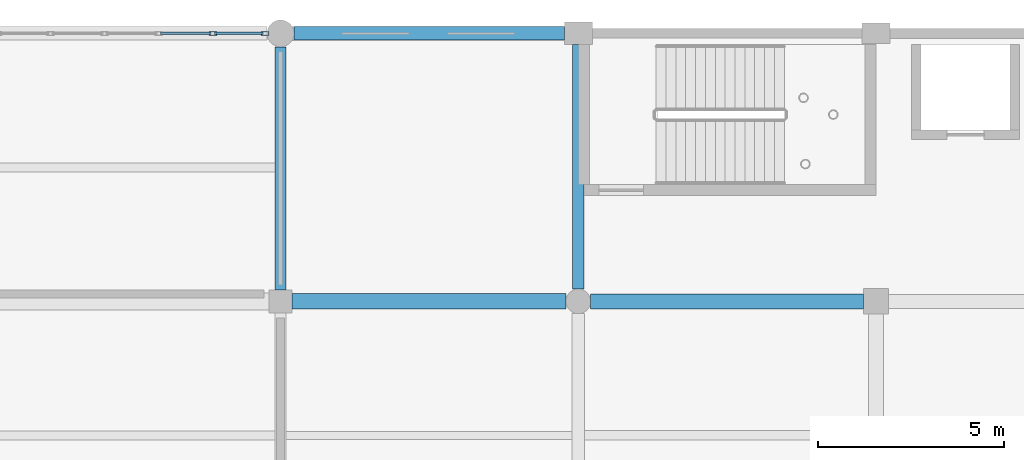
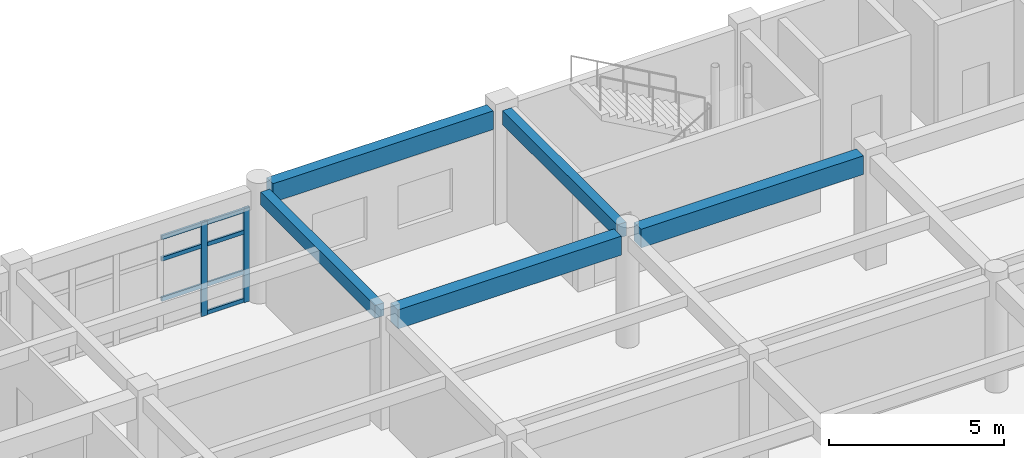
# One storey, part 113 of 195: 9 members, 5 beams, 1 element without a shape of its own.
"""IFC4 building model written with IfcOpenShell, lengths in metres."""

from ifc_helpers import new_model, si_unit, direction, frame, origin, origin_2d, place, context, subcontext, project, spatial, rectangle, hollow_rectangle, extrude, material, material_profile, profile_set, type_object, element, aggregate, save


model = new_model("IFC4")

# Units and contexts
model_context = context("Model", 3, precision=1e-05, world=origin(), true_north=direction((0.0, 1.0)))
body_context = subcontext(model_context, "Body", "Model", "MODEL_VIEW")
ifc_project = project(units=[si_unit("LENGTHUNIT", "METRE"), si_unit("AREAUNIT", "SQUARE_METRE"), si_unit("VOLUMEUNIT", "CUBIC_METRE"), si_unit("PLANEANGLEUNIT", "RADIAN"), si_unit("MASSUNIT", "GRAM", prefix="KILO")], contexts=[model_context])

# Site, building, storey
site_placement = place(None, origin())
site = spatial("IfcSite", under=ifc_project, at=site_placement, CompositionType="ELEMENT")
building_placement = place(site_placement, origin())
building = spatial("IfcBuilding", under=site, at=building_placement, Name="Kharva Crest Polytechnic", CompositionType="ELEMENT")
storey_placement = place(building_placement, frame((0.0, 0.0, 9.0)))
storey = spatial("IfcBuildingStorey", under=building, at=storey_placement, Name="L02", CompositionType="ELEMENT", Elevation=9.0)

# Beams
ifc_material_1 = material(Name="Concrete C35/45", Category="concrete")
ifc_material_profile_1 = material_profile(ifc_material_1, rectangle(XDim=0.300048828125, YDim=0.449951171875, at=origin_2d()), Name="RECT 300 X 450")
ifc_profile_set_1 = profile_set([ifc_material_profile_1], Name="Concrete C35/45")
beam_type_1 = type_object("IfcBeamType", Name="BM-RC-300X450", PredefinedType="BEAM", material=ifc_profile_set_1)
beam_1_placement = place(storey_placement, frame((48.0, 115.110107421875, 3.695068359375), z_axis=(0.0, 1.0, 0.0), x_axis=(-1.0, 0.0, 0.0)))
element("IfcBeam", 1, at=beam_1_placement, inside=storey, type_object=beam_type_1, Name="L02 Girder 7/R-S", PredefinedType="BEAM", context=body_context, shape_type="SweptSolid", body=[
    extrude(rectangle(XDim=0.300048828125, YDim=0.449951171875, at=origin_2d()), origin(), (0.0, 0.0, 1.0), 6.52978515625),
])
ifc_material_profile_2 = material_profile(ifc_material_1, rectangle(XDim=0.300048828125, YDim=0.47998046875, at=origin_2d()), Name="RECT 300 X 480")
ifc_profile_set_2 = profile_set([ifc_material_profile_2], Name="Concrete C35/45")
beam_type_2 = type_object("IfcBeamType", Name="BM-RC-300X480", PredefinedType="BEAM", material=ifc_profile_set_2)
beam_2_placement = place(storey_placement, frame((56.0, 115.1298828125, 3.679931640625), z_axis=(0.0, 1.0, 0.0), x_axis=(-1.0, 0.0, 0.0)))
element("IfcBeam", 2, at=beam_2_placement, inside=storey, type_object=beam_type_2, Name="L02 Girder 8/R-S", PredefinedType="BEAM", context=body_context, shape_type="SweptSolid", body=[
    extrude(rectangle(XDim=0.300048828125, YDim=0.47998046875, at=origin_2d()), origin(), (0.0, 0.0, 1.0), 6.570068359375),
])
ifc_material_profile_3 = material_profile(ifc_material_1, rectangle(XDim=0.39990234375, YDim=0.64990234375, at=origin_2d()), Name="RECT 400 X 650")
ifc_profile_set_3 = profile_set([ifc_material_profile_3], Name="Concrete C35/45")
beam_type_3 = type_object("IfcBeamType", Name="BM-RC-400X650", PredefinedType="BEAM", material=ifc_profile_set_3)
beam_3_placement = place(storey_placement, frame((56.330078125, 114.800048828125, 3.594970703125), z_axis=(1.0, 0.0, 0.0), x_axis=(0.0, 1.0, 0.0)))
element("IfcBeam", 3, at=beam_3_placement, inside=storey, type_object=beam_type_3, Name="L02 Beam R/8-9", PredefinedType="BEAM", context=body_context, shape_type="SweptSolid", body=[
    extrude(rectangle(XDim=0.39990234375, YDim=0.64990234375, at=origin_2d()), origin(), (0.0, 0.0, 1.0), 7.329833984375),
])
ifc_material_profile_4 = material_profile(ifc_material_1, rectangle(XDim=0.419921875, YDim=0.659912109375, at=origin_2d()), Name="RECT 420 X 660")
ifc_profile_set_4 = profile_set([ifc_material_profile_4], Name="Concrete C35/45")
beam_type_4 = type_object("IfcBeamType", Name="BM-RC-420X660", PredefinedType="BEAM", material=ifc_profile_set_4)
beam_4_placement = place(storey_placement, frame((48.31005859375, 114.800048828125, 3.590087890625), z_axis=(1.0, 0.0, 0.0), x_axis=(0.0, 1.0, 0.0)))
element("IfcBeam", 4, at=beam_4_placement, inside=storey, type_object=beam_type_4, Name="L02 Beam R/7-8", PredefinedType="BEAM", context=body_context, shape_type="SweptSolid", body=[
    extrude(rectangle(XDim=0.419921875, YDim=0.659912109375, at=origin_2d()), origin(), (0.0, 0.0, 1.0), 7.35986328125),
])

# Curtain wall, members
ifc_material_2 = material(Name="Tempered insulated glass", Category="glass")
curtain_wall_type = type_object("IfcCurtainWallType", Name="CW-SYS-LIBRARY", PredefinedType="USERDEFINED", material=ifc_material_2)
curtain_wall_placement = place(storey_placement, origin())
curtain_wall = element("IfcCurtainWall", 5, at=curtain_wall_placement, inside=storey, type_object=curtain_wall_type, Name="L02 Glazed Curtain Wall CW-121", ObjectType="CURTAIN WALL", PredefinedType="USERDEFINED")
ifc_material_3 = material(Name="Steel S355", Category="steel")
ifc_material_profile_5 = material_profile(ifc_material_3, hollow_rectangle(XDim=0.10009765625, YDim=0.199951171875, WallThickness=0.00634765625, at=origin_2d()), Name="RHS 200X100X6.3")
ifc_profile_set_5 = profile_set([ifc_material_profile_5], Name="Steel S355")
member_type_1 = type_object("IfcMemberType", Name="CWM-RHS200X100", PredefinedType="MULLION", material=ifc_profile_set_5)
member_1_placement = place(storey_placement, frame((47.5849609375, 122.0, 0.0), z_axis=(0.0, 0.0, 1.0), x_axis=(0.0, -1.0, 0.0)))
member_1 = element("IfcMember", 6, at=member_1_placement, type_object=member_type_1, Name="CW-121 mullion 1", PredefinedType="MULLION", context=body_context, shape_type="SweptSolid", body=[
    extrude(hollow_rectangle(XDim=0.10009765625, YDim=0.199951171875, WallThickness=0.00634765625, at=origin_2d()), origin(), (0.0, 0.0, 1.0), 3.27001953125),
])
member_2_placement = place(storey_placement, frame((46.180908203125, 122.0, 0.0), z_axis=(0.0, 0.0, 1.0), x_axis=(0.0, -1.0, 0.0)))
member_2 = element("IfcMember", 7, at=member_2_placement, type_object=member_type_1, Name="CW-121 mullion 2", PredefinedType="MULLION", context=body_context, shape_type="SweptSolid", body=[
    extrude(hollow_rectangle(XDim=0.10009765625, YDim=0.199951171875, WallThickness=0.00634765625, at=origin_2d()), origin(), (0.0, 0.0, 1.0), 3.27001953125),
])
ifc_material_profile_6 = material_profile(ifc_material_3, hollow_rectangle(XDim=0.070068359375, YDim=0.139892578125, WallThickness=0.00390625, at=origin_2d()), Name="RHS 140X70X4.0")
ifc_profile_set_6 = profile_set([ifc_material_profile_6], Name="Steel S355")
member_type_2 = type_object("IfcMemberType", Name="CWT-RHS140X70", PredefinedType="USERDEFINED", material=ifc_profile_set_6)
member_3_placement = place(storey_placement, frame((47.534912109375, 122.0, 0.070068359375), z_axis=(-1.0, 0.0, 0.0), x_axis=(0.0, -1.0, 0.0)))
member_3 = element("IfcMember", 8, at=member_3_placement, type_object=member_type_2, Name="CW-121 transom 1.1", ObjectType="TRANSOM", PredefinedType="USERDEFINED", context=body_context, shape_type="SweptSolid", body=[
    extrude(hollow_rectangle(XDim=0.070068359375, YDim=0.139892578125, WallThickness=0.00390625, at=origin_2d()), origin(), (0.0, 0.0, 1.0), 1.303955078125),
])
member_4_placement = place(storey_placement, frame((47.534912109375, 122.0, 1.050048828125), z_axis=(-1.0, 0.0, 0.0), x_axis=(0.0, -1.0, 0.0)))
member_4 = element("IfcMember", 9, at=member_4_placement, type_object=member_type_2, Name="CW-121 transom 1.2", ObjectType="TRANSOM", PredefinedType="USERDEFINED", context=body_context, shape_type="SweptSolid", body=[
    extrude(hollow_rectangle(XDim=0.070068359375, YDim=0.139892578125, WallThickness=0.00390625, at=origin_2d()), origin(), (0.0, 0.0, 1.0), 1.303955078125),
])
member_5_placement = place(storey_placement, frame((47.534912109375, 122.0, 2.449951171875), z_axis=(-1.0, 0.0, 0.0), x_axis=(0.0, -1.0, 0.0)))
member_5 = element("IfcMember", 10, at=member_5_placement, type_object=member_type_2, Name="CW-121 transom 1.3", ObjectType="TRANSOM", PredefinedType="USERDEFINED", context=body_context, shape_type="SweptSolid", body=[
    extrude(hollow_rectangle(XDim=0.070068359375, YDim=0.139892578125, WallThickness=0.00390625, at=origin_2d()), origin(), (0.0, 0.0, 1.0), 1.303955078125),
])
member_6_placement = place(storey_placement, frame((47.534912109375, 122.0, 3.199951171875), z_axis=(-1.0, 0.0, 0.0), x_axis=(0.0, -1.0, 0.0)))
member_6 = element("IfcMember", 11, at=member_6_placement, type_object=member_type_2, Name="CW-121 transom 1.4", ObjectType="TRANSOM", PredefinedType="USERDEFINED", context=body_context, shape_type="SweptSolid", body=[
    extrude(hollow_rectangle(XDim=0.070068359375, YDim=0.139892578125, WallThickness=0.00390625, at=origin_2d()), origin(), (0.0, 0.0, 1.0), 1.303955078125),
])
member_7_placement = place(storey_placement, frame((46.131103515625, 122.0, 1.050048828125), z_axis=(-1.0, 0.0, 0.0), x_axis=(0.0, -1.0, 0.0)))
member_7 = element("IfcMember", 12, at=member_7_placement, type_object=member_type_2, Name="CW-121 transom 2.2", ObjectType="TRANSOM", PredefinedType="USERDEFINED", context=body_context, shape_type="SweptSolid", body=[
    extrude(hollow_rectangle(XDim=0.070068359375, YDim=0.139892578125, WallThickness=0.00390625, at=origin_2d()), origin(), (0.0, 0.0, 1.0), 1.35400390625),
])
member_8_placement = place(storey_placement, frame((46.131103515625, 122.0, 2.449951171875), z_axis=(-1.0, 0.0, 0.0), x_axis=(0.0, -1.0, 0.0)))
member_8 = element("IfcMember", 13, at=member_8_placement, type_object=member_type_2, Name="CW-121 transom 2.3", ObjectType="TRANSOM", PredefinedType="USERDEFINED", context=body_context, shape_type="SweptSolid", body=[
    extrude(hollow_rectangle(XDim=0.070068359375, YDim=0.139892578125, WallThickness=0.00390625, at=origin_2d()), origin(), (0.0, 0.0, 1.0), 1.35400390625),
])
member_9_placement = place(storey_placement, frame((46.131103515625, 122.0, 3.199951171875), z_axis=(-1.0, 0.0, 0.0), x_axis=(0.0, -1.0, 0.0)))
member_9 = element("IfcMember", 14, at=member_9_placement, type_object=member_type_2, Name="CW-121 transom 2.4", ObjectType="TRANSOM", PredefinedType="USERDEFINED", context=body_context, shape_type="SweptSolid", body=[
    extrude(hollow_rectangle(XDim=0.070068359375, YDim=0.139892578125, WallThickness=0.00390625, at=origin_2d()), origin(), (0.0, 0.0, 1.0), 1.35400390625),
])
aggregate(curtain_wall, [member_1, member_2, member_3, member_4, member_5, member_6, member_7, member_8, member_9])

# Beam
ifc_material_profile_7 = material_profile(ifc_material_1, rectangle(XDim=0.360107421875, YDim=0.64990234375, at=origin_2d()), Name="RECT 360 X 650")
ifc_profile_set_7 = profile_set([ifc_material_profile_7], Name="Concrete C35/45")
beam_type_5 = type_object("IfcBeamType", Name="SP-RC-360X650", PredefinedType="SPANDREL", material=ifc_profile_set_7)
beam_5_placement = place(storey_placement, frame((48.360107421875, 122.0, 3.594970703125), z_axis=(1.0, 0.0, 0.0), x_axis=(0.0, 1.0, 0.0)))
element("IfcBeam", 15, at=beam_5_placement, inside=storey, type_object=beam_type_5, Name="L02 Beam S/7-8", PredefinedType="SPANDREL", context=body_context, shape_type="SweptSolid", body=[
    extrude(rectangle(XDim=0.360107421875, YDim=0.64990234375, at=origin_2d()), origin(), (0.0, 0.0, 1.0), 7.264892578125),
])

save(model, "model.ifc")
